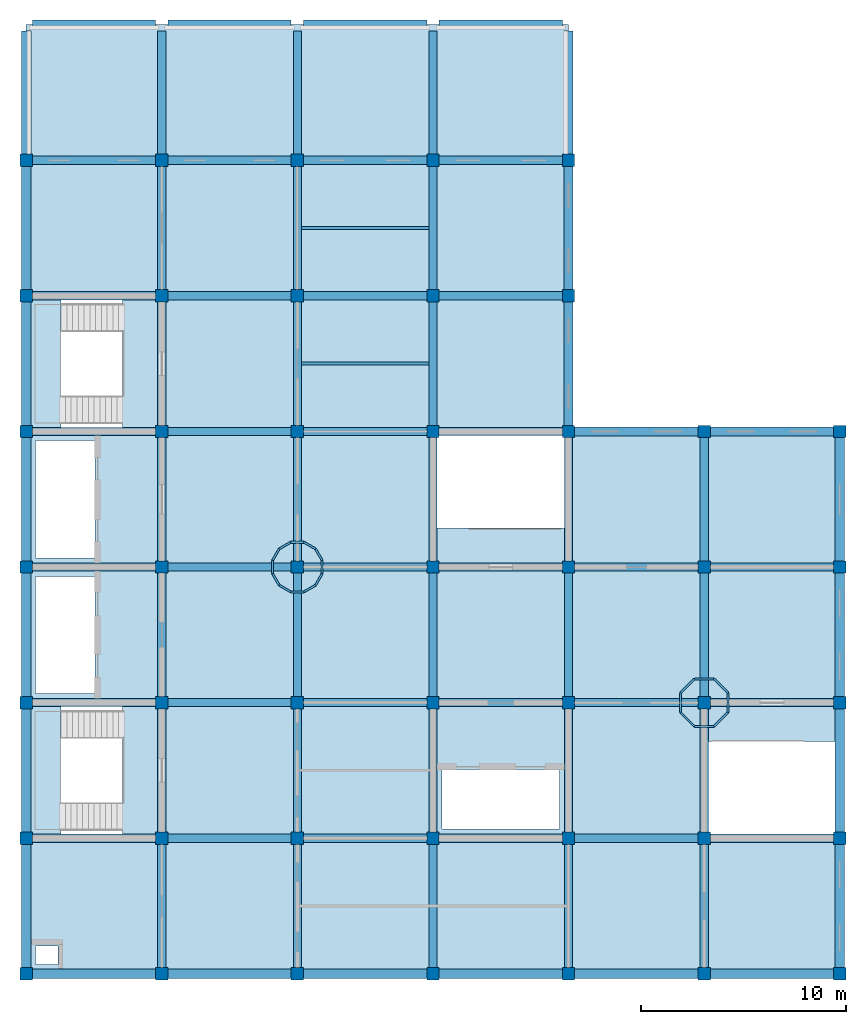
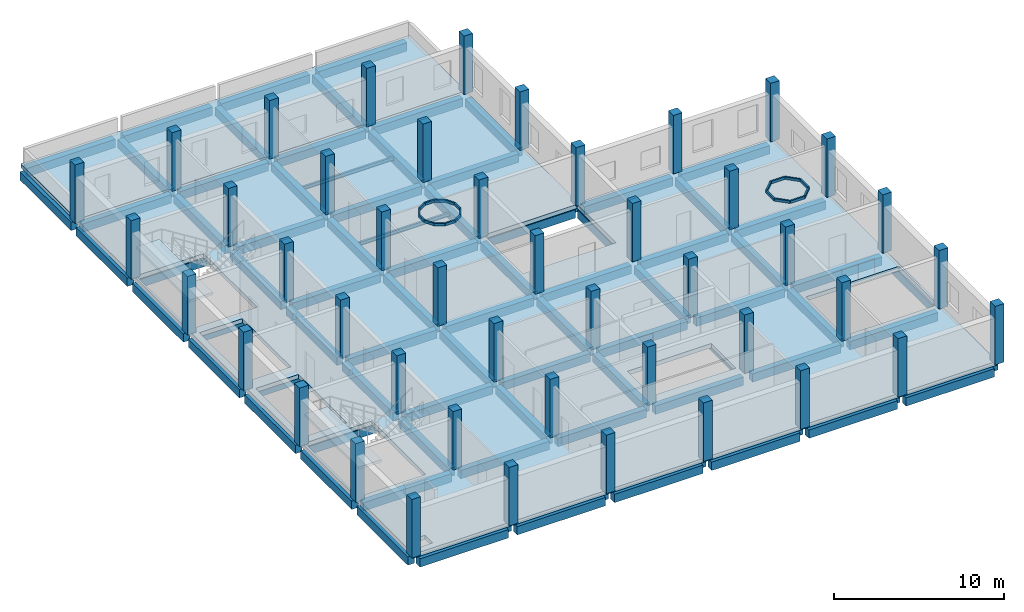
# One storey, part 1 of 6: 87 beams, 45 columns, 20 members, 4 slabs, 2 elements without a shape of their own.
"""IFC4 building model written with IfcOpenShell, lengths in metres."""

from ifc_helpers import new_model, si_unit, direction, frame, origin, origin_2d, place, context, subcontext, project, spatial, polyline, rectangle, hollow_rectangle, i_section, outline, extrude, material, layer, layer_set, material_profile, profile_set, type_object, element, aggregate, save


model = new_model("IFC4")

# Units and contexts
model_context = context("Model", 3, precision=1e-05, world=origin(), true_north=direction((0.0, 1.0)))
body_context = subcontext(model_context, "Body", "Model", "MODEL_VIEW")
ifc_project = project(units=[si_unit("LENGTHUNIT", "METRE"), si_unit("AREAUNIT", "SQUARE_METRE"), si_unit("VOLUMEUNIT", "CUBIC_METRE"), si_unit("PLANEANGLEUNIT", "RADIAN"), si_unit("MASSUNIT", "GRAM", prefix="KILO")], contexts=[model_context])

# Site, building, storey
site_placement = place(None, origin())
site = spatial("IfcSite", under=ifc_project, at=site_placement, CompositionType="ELEMENT")
building_placement = place(site_placement, origin())
building = spatial("IfcBuilding", under=site, at=building_placement, Name="Rusizi Kubbe Research Institute", CompositionType="ELEMENT")
storey_placement = place(building_placement, frame((0.0, 0.0, 69.0)))
storey = spatial("IfcBuildingStorey", under=building, at=storey_placement, Name="L16", CompositionType="ELEMENT", Elevation=69.0)

# Columns
ifc_material_1 = material(Name="Concrete C40/50", Category="concrete")
ifc_material_profile_1 = material_profile(ifc_material_1, rectangle(XDim=0.60009765625, YDim=0.60009765625, at=origin_2d()), Name="RC600x600")
ifc_profile_set_1 = profile_set([ifc_material_profile_1], Name="Concrete C40/50")
column_type = type_object("IfcColumnType", Name="COL-600", PredefinedType="COLUMN", material=ifc_profile_set_1)
for number, where, z_axis, x_axis, name in (
    (1, (0.0, 0.0, 0.0), (0.0, 0.0, 1.0), (1.0, 0.0, 0.0), "Column 1A L16"),
    (2, (0.0, 6.60009765625, 0.0), (0.0, 0.0, 1.0), (1.0, 0.0, 0.0), "Column 1B L16"),
    (3, (0.0, 13.199951171875, 0.0), (0.0, 0.0, 1.0), (1.0, 0.0, 0.0), "Column 1C L16"),
    (4, (0.0, 19.800048828125, 0.0), (0.0, 0.0, 1.0), (1.0, 0.0, 0.0), "Column 1D L16"),
    (5, (0.0, 26.39990234375, 0.0), (0.0, 0.0, 1.0), (1.0, 0.0, 0.0), "Column 1E L16"),
    (6, (0.0, 33.0, 0.0), (0.0, 0.0, 1.0), (1.0, 0.0, 0.0), "Column 1F L16"),
    (7, (0.0, 39.60009765625, 0.0), (0.0, 0.0, 1.0), (1.0, 0.0, 0.0), "Column 1G L16"),
    (8, (6.60009765625, 0.0, 0.0), (0.0, 0.0, 1.0), (1.0, 0.0, 0.0), "Column 2A L16"),
    (9, (6.60009765625, 6.60009765625, 0.0), (0.0, 0.0, 1.0), (1.0, 0.0, 0.0), "Column 2B L16"),
    (10, (6.60009765625, 13.199951171875, 0.0), (0.0, 0.0, 1.0), (1.0, 0.0, 0.0), "Column 2C L16"),
    (11, (6.60009765625, 19.800048828125, 0.0), (0.0, 0.0, 1.0), (1.0, 0.0, 0.0), "Column 2D L16"),
    (12, (6.60009765625, 26.39990234375, 0.0), (0.0, 0.0, 1.0), (1.0, 0.0, 0.0), "Column 2E L16"),
    (13, (6.60009765625, 33.0, 0.0), (0.0, 0.0, 1.0), (1.0, 0.0, 0.0), "Column 2F L16"),
    (14, (6.60009765625, 39.60009765625, 0.0), (0.0, 0.0, 1.0), (1.0, 0.0, 0.0), "Column 2G L16"),
    (15, (13.199951171875, 0.0, 0.0), (0.0, 0.0, 1.0), (1.0, 0.0, 0.0), "Column 3A L16"),
    (16, (13.199951171875, 6.60009765625, 0.0), (0.0, 0.0, 1.0), (1.0, 0.0, 0.0), "Column 3B L16"),
    (17, (13.199951171875, 13.199951171875, 0.0), (0.0, 0.0, 1.0), (1.0, 0.0, 0.0), "Column 3C L16"),
    (18, (13.199951171875, 19.800048828125, 0.0), (0.0, 0.0, 1.0), (1.0, 0.0, 0.0), "Column 3D L16"),
    (19, (13.199951171875, 26.39990234375, 0.0), (0.0, 0.0, 1.0), (1.0, 0.0, 0.0), "Column 3E L16"),
    (20, (13.199951171875, 33.0, 0.0), (0.0, 0.0, 1.0), (1.0, 0.0, 0.0), "Column 3F L16"),
    (21, (13.199951171875, 39.60009765625, 0.0), (0.0, 0.0, 1.0), (1.0, 0.0, 0.0), "Column 3G L16"),
    (22, (19.800048828125, 0.0, 0.0), (0.0, 0.0, 1.0), (1.0, 0.0, 0.0), "Column 4A L16"),
    (23, (19.800048828125, 6.60009765625, 0.0), (0.0, 0.0, 1.0), (1.0, 0.0, 0.0), "Column 4B L16"),
    (24, (19.800048828125, 13.199951171875, 0.0), (0.0, 0.0, 1.0), (1.0, 0.0, 0.0), "Column 4C L16"),
    (25, (19.800048828125, 19.800048828125, 0.0), (0.0, 0.0, 1.0), (1.0, 0.0, 0.0), "Column 4D L16"),
    (26, (19.800048828125, 26.39990234375, 0.0), (0.0, 0.0, 1.0), (1.0, 0.0, 0.0), "Column 4E L16"),
    (27, (19.800048828125, 33.0, 0.0), (0.0, 0.0, 1.0), (1.0, 0.0, 0.0), "Column 4F L16"),
    (28, (19.800048828125, 39.60009765625, 0.0), (0.0, 0.0, 1.0), (1.0, 0.0, 0.0), "Column 4G L16"),
    (29, (26.39990234375, 0.0, 0.0), (0.0, 0.0, 1.0), (1.0, 0.0, 0.0), "Column 5A L16"),
    (30, (26.39990234375, 6.60009765625, 0.0), (0.0, 0.0, 1.0), (1.0, 0.0, 0.0), "Column 5B L16"),
    (31, (26.39990234375, 13.199951171875, 0.0), (0.0, 0.0, 1.0), (1.0, 0.0, 0.0), "Column 5C L16"),
    (32, (26.39990234375, 19.800048828125, 0.0), (0.0, 0.0, 1.0), (1.0, 0.0, 0.0), "Column 5D L16"),
    (33, (26.39990234375, 26.39990234375, 0.0), (0.0, 0.0, 1.0), (1.0, 0.0, 0.0), "Column 5E L16"),
    (34, (26.39990234375, 33.0, 0.0), (0.0, 0.0, 1.0), (1.0, 0.0, 0.0), "Column 5F L16"),
    (35, (26.39990234375, 39.60009765625, 0.0), (0.0, 0.0, 1.0), (1.0, 0.0, 0.0), "Column 5G L16"),
    (36, (33.0, 0.0, 0.0), (0.0, 0.0, 1.0), (1.0, 0.0, 0.0), "Column 6A L16"),
    (37, (33.0, 6.60009765625, 0.0), (0.0, 0.0, 1.0), (1.0, 0.0, 0.0), "Column 6B L16"),
    (38, (33.0, 13.199951171875, 0.0), (0.0, 0.0, 1.0), (1.0, 0.0, 0.0), "Column 6C L16"),
    (39, (33.0, 19.800048828125, 0.0), (0.0, 0.0, 1.0), (1.0, 0.0, 0.0), "Column 6D L16"),
    (40, (33.0, 26.39990234375, 0.0), (0.0, 0.0, 1.0), (1.0, 0.0, 0.0), "Column 6E L16"),
    (41, (39.60009765625, 0.0, 0.0), (0.0, 0.0, 1.0), (1.0, 0.0, 0.0), "Column 7A L16"),
    (42, (39.60009765625, 6.60009765625, 0.0), (0.0, 0.0, 1.0), (1.0, 0.0, 0.0), "Column 7B L16"),
    (43, (39.60009765625, 13.199951171875, 0.0), (0.0, 0.0, 1.0), (1.0, 0.0, 0.0), "Column 7C L16"),
    (44, (39.60009765625, 19.800048828125, 0.0), (0.0, 0.0, 1.0), (1.0, 0.0, 0.0), "Column 7D L16"),
    (45, (39.60009765625, 26.39990234375, 0.0), (0.0, 0.0, 1.0), (1.0, 0.0, 0.0), "Column 7E L16"),
):
    element("IfcColumn", number, at=place(storey_placement, frame(where, z_axis=z_axis, x_axis=x_axis)), inside=storey, type_object=column_type, Name=name, PredefinedType="COLUMN", context=body_context, shape_type="SweptSolid", body=[
        extrude(rectangle(XDim=0.60009765625, YDim=0.60009765625, at=origin_2d()), origin(), (0.0, 0.0, 1.0), 4.199951171875),
    ])

# Beams
ifc_material_2 = material(Name="Steel S355", Category="steel")
ifc_material_profile_2 = material_profile(ifc_material_2, i_section(OverallWidth=0.135009765625, OverallDepth=0.27001953125, WebThickness=0.006591796875, FlangeThickness=0.01025390625, at=origin_2d()), Name="IPE 270")
ifc_profile_set_2 = profile_set([ifc_material_profile_2], Name="Steel S355")
beam_type_1 = type_object("IfcBeamType", Name="BM-IPE270", PredefinedType="JOIST", material=ifc_profile_set_2)
for number, where, z_axis, x_axis, name in (
    (46, (13.39990234375, 29.699951171875, -0.43505859375), (1.0, 0.0, 0.0), (0.0, 1.0, 0.0), "Lab Stiffener Joist L16 (2,4)"),
    (47, (13.39990234375, 36.300048828125, -0.43505859375), (1.0, 0.0, 0.0), (0.0, 1.0, 0.0), "Lab Stiffener Joist L16 (2,5)"),
):
    element("IfcBeam", number, at=place(storey_placement, frame(where, z_axis=z_axis, x_axis=x_axis)), inside=storey, type_object=beam_type_1, Name=name, PredefinedType="JOIST", context=body_context, shape_type="SweptSolid", body=[
        extrude(i_section(OverallWidth=0.135009765625, OverallDepth=0.27001953125, WebThickness=0.006591796875, FlangeThickness=0.01025390625, at=origin_2d()), origin(), (0.0, 0.0, 1.0), 6.2001953125),
    ])
ifc_material_3 = material(Name="Concrete C40/50", Category="concrete")
ifc_material_profile_3 = material_profile(ifc_material_3, rectangle(XDim=0.39990234375, YDim=0.60009765625, at=origin_2d()), Name="RC400x600")
ifc_profile_set_3 = profile_set([ifc_material_profile_3], Name="Concrete C40/50")
beam_type_2 = type_object("IfcBeamType", Name="BM-RC400x600", PredefinedType="BEAM", material=ifc_profile_set_3)
for number, where, z_axis, x_axis, name in (
    (48, (0.300048828125, 6.60009765625, -0.60009765625), (1.0, 0.0, 0.0), (0.0, 1.0, 0.0), "Grid Beam H L16 (0,1)"),
    (49, (0.300048828125, 13.199951171875, -0.60009765625), (1.0, 0.0, 0.0), (0.0, 1.0, 0.0), "Grid Beam H L16 (0,2)"),
    (50, (0.300048828125, 19.800048828125, -0.60009765625), (1.0, 0.0, 0.0), (0.0, 1.0, 0.0), "Grid Beam H L16 (0,3)"),
    (51, (0.300048828125, 26.39990234375, -0.60009765625), (1.0, 0.0, 0.0), (0.0, 1.0, 0.0), "Grid Beam H L16 (0,4)"),
    (52, (0.300048828125, 33.0, -0.60009765625), (1.0, 0.0, 0.0), (0.0, 1.0, 0.0), "Grid Beam H L16 (0,5)"),
    (53, (0.300048828125, 39.60009765625, -0.60009765625), (1.0, 0.0, 0.0), (0.0, 1.0, 0.0), "Grid Beam H L16 (0,6)"),
    (54, (6.89990234375, 6.60009765625, -0.60009765625), (1.0, 0.0, 0.0), (0.0, 1.0, 0.0), "Grid Beam H L16 (1,1)"),
    (55, (6.89990234375, 13.199951171875, -0.60009765625), (1.0, 0.0, 0.0), (0.0, 1.0, 0.0), "Grid Beam H L16 (1,2)"),
    (56, (6.89990234375, 19.800048828125, -0.60009765625), (1.0, 0.0, 0.0), (0.0, 1.0, 0.0), "Grid Beam H L16 (1,3)"),
    (57, (6.89990234375, 26.39990234375, -0.60009765625), (1.0, 0.0, 0.0), (0.0, 1.0, 0.0), "Grid Beam H L16 (1,4)"),
    (58, (6.89990234375, 33.0, -0.60009765625), (1.0, 0.0, 0.0), (0.0, 1.0, 0.0), "Grid Beam H L16 (1,5)"),
    (59, (6.89990234375, 39.60009765625, -0.60009765625), (1.0, 0.0, 0.0), (0.0, 1.0, 0.0), "Grid Beam H L16 (1,6)"),
    (60, (13.5, 6.60009765625, -0.60009765625), (1.0, 0.0, 0.0), (0.0, 1.0, 0.0), "Grid Beam H L16 (2,1)"),
    (61, (13.5, 13.199951171875, -0.60009765625), (1.0, 0.0, 0.0), (0.0, 1.0, 0.0), "Grid Beam H L16 (2,2)"),
    (62, (13.5, 19.800048828125, -0.60009765625), (1.0, 0.0, 0.0), (0.0, 1.0, 0.0), "Grid Beam H L16 (2,3)"),
    (63, (13.5, 26.39990234375, -0.60009765625), (1.0, 0.0, 0.0), (0.0, 1.0, 0.0), "Grid Beam H L16 (2,4)"),
    (64, (13.5, 33.0, -0.60009765625), (1.0, 0.0, 0.0), (0.0, 1.0, 0.0), "Grid Beam H L16 (2,5)"),
    (65, (13.5, 39.60009765625, -0.60009765625), (1.0, 0.0, 0.0), (0.0, 1.0, 0.0), "Grid Beam H L16 (2,6)"),
    (66, (20.10009765625, 6.60009765625, -0.60009765625), (1.0, 0.0, 0.0), (0.0, 1.0, 0.0), "Grid Beam H L16 (3,1)"),
    (67, (20.10009765625, 13.199951171875, -0.60009765625), (1.0, 0.0, 0.0), (0.0, 1.0, 0.0), "Grid Beam H L16 (3,2)"),
    (68, (20.10009765625, 19.800048828125, -0.60009765625), (1.0, 0.0, 0.0), (0.0, 1.0, 0.0), "Grid Beam H L16 (3,3)"),
    (69, (20.10009765625, 26.39990234375, -0.60009765625), (1.0, 0.0, 0.0), (0.0, 1.0, 0.0), "Grid Beam H L16 (3,4)"),
    (70, (20.10009765625, 33.0, -0.60009765625), (1.0, 0.0, 0.0), (0.0, 1.0, 0.0), "Grid Beam H L16 (3,5)"),
    (71, (20.10009765625, 39.60009765625, -0.60009765625), (1.0, 0.0, 0.0), (0.0, 1.0, 0.0), "Grid Beam H L16 (3,6)"),
    (72, (26.699951171875, 6.60009765625, -0.60009765625), (1.0, 0.0, 0.0), (0.0, 1.0, 0.0), "Grid Beam H L16 (4,1)"),
    (73, (26.699951171875, 13.199951171875, -0.60009765625), (1.0, 0.0, 0.0), (0.0, 1.0, 0.0), "Grid Beam H L16 (4,2)"),
    (74, (26.699951171875, 19.800048828125, -0.60009765625), (1.0, 0.0, 0.0), (0.0, 1.0, 0.0), "Grid Beam H L16 (4,3)"),
    (75, (33.300048828125, 6.60009765625, -0.60009765625), (1.0, 0.0, 0.0), (0.0, 1.0, 0.0), "Grid Beam H L16 (5,1)"),
    (76, (33.300048828125, 13.199951171875, -0.60009765625), (1.0, 0.0, 0.0), (0.0, 1.0, 0.0), "Grid Beam H L16 (5,2)"),
    (77, (33.300048828125, 19.800048828125, -0.60009765625), (1.0, 0.0, 0.0), (0.0, 1.0, 0.0), "Grid Beam H L16 (5,3)"),
    (78, (6.60009765625, 0.300048828125, -0.60009765625), (0.0, 1.0, 0.0), (-1.0, 0.0, 0.0), "Grid Beam V L16 (1,0)"),
    (79, (6.60009765625, 6.89990234375, -0.60009765625), (0.0, 1.0, 0.0), (-1.0, 0.0, 0.0), "Grid Beam V L16 (1,1)"),
    (80, (6.60009765625, 13.5, -0.60009765625), (0.0, 1.0, 0.0), (-1.0, 0.0, 0.0), "Grid Beam V L16 (1,2)"),
    (81, (6.60009765625, 20.10009765625, -0.60009765625), (0.0, 1.0, 0.0), (-1.0, 0.0, 0.0), "Grid Beam V L16 (1,3)"),
    (82, (6.60009765625, 26.699951171875, -0.60009765625), (0.0, 1.0, 0.0), (-1.0, 0.0, 0.0), "Grid Beam V L16 (1,4)"),
    (83, (6.60009765625, 33.300048828125, -0.60009765625), (0.0, 1.0, 0.0), (-1.0, 0.0, 0.0), "Grid Beam V L16 (1,5)"),
    (84, (6.60009765625, 39.89990234375, -0.60009765625), (0.0, 1.0, 0.0), (-1.0, 0.0, 0.0), "Grid Beam V L16 (1,6)"),
    (85, (13.199951171875, 0.300048828125, -0.60009765625), (0.0, 1.0, 0.0), (-1.0, 0.0, 0.0), "Grid Beam V L16 (2,0)"),
    (86, (13.199951171875, 6.89990234375, -0.60009765625), (0.0, 1.0, 0.0), (-1.0, 0.0, 0.0), "Grid Beam V L16 (2,1)"),
    (87, (13.199951171875, 13.5, -0.60009765625), (0.0, 1.0, 0.0), (-1.0, 0.0, 0.0), "Grid Beam V L16 (2,2)"),
    (88, (13.199951171875, 20.10009765625, -0.60009765625), (0.0, 1.0, 0.0), (-1.0, 0.0, 0.0), "Grid Beam V L16 (2,3)"),
    (89, (13.199951171875, 26.699951171875, -0.60009765625), (0.0, 1.0, 0.0), (-1.0, 0.0, 0.0), "Grid Beam V L16 (2,4)"),
    (90, (13.199951171875, 33.300048828125, -0.60009765625), (0.0, 1.0, 0.0), (-1.0, 0.0, 0.0), "Grid Beam V L16 (2,5)"),
    (91, (13.199951171875, 39.89990234375, -0.60009765625), (0.0, 1.0, 0.0), (-1.0, 0.0, 0.0), "Grid Beam V L16 (2,6)"),
    (92, (19.800048828125, 0.300048828125, -0.60009765625), (0.0, 1.0, 0.0), (-1.0, 0.0, 0.0), "Grid Beam V L16 (3,0)"),
    (93, (19.800048828125, 6.89990234375, -0.60009765625), (0.0, 1.0, 0.0), (-1.0, 0.0, 0.0), "Grid Beam V L16 (3,1)"),
    (94, (19.800048828125, 13.5, -0.60009765625), (0.0, 1.0, 0.0), (-1.0, 0.0, 0.0), "Grid Beam V L16 (3,2)"),
    (95, (19.800048828125, 20.10009765625, -0.60009765625), (0.0, 1.0, 0.0), (-1.0, 0.0, 0.0), "Grid Beam V L16 (3,3)"),
    (96, (19.800048828125, 26.699951171875, -0.60009765625), (0.0, 1.0, 0.0), (-1.0, 0.0, 0.0), "Grid Beam V L16 (3,4)"),
    (97, (19.800048828125, 33.300048828125, -0.60009765625), (0.0, 1.0, 0.0), (-1.0, 0.0, 0.0), "Grid Beam V L16 (3,5)"),
    (98, (19.800048828125, 39.89990234375, -0.60009765625), (0.0, 1.0, 0.0), (-1.0, 0.0, 0.0), "Grid Beam V L16 (3,6)"),
    (99, (26.39990234375, 0.300048828125, -0.60009765625), (0.0, 1.0, 0.0), (-1.0, 0.0, 0.0), "Grid Beam V L16 (4,0)"),
    (100, (26.39990234375, 6.89990234375, -0.60009765625), (0.0, 1.0, 0.0), (-1.0, 0.0, 0.0), "Grid Beam V L16 (4,1)"),
    (101, (26.39990234375, 13.5, -0.60009765625), (0.0, 1.0, 0.0), (-1.0, 0.0, 0.0), "Grid Beam V L16 (4,2)"),
    (102, (26.39990234375, 20.10009765625, -0.60009765625), (0.0, 1.0, 0.0), (-1.0, 0.0, 0.0), "Grid Beam V L16 (4,3)"),
    (103, (33.0, 0.300048828125, -0.60009765625), (0.0, 1.0, 0.0), (-1.0, 0.0, 0.0), "Grid Beam V L16 (5,0)"),
    (104, (33.0, 6.89990234375, -0.60009765625), (0.0, 1.0, 0.0), (-1.0, 0.0, 0.0), "Grid Beam V L16 (5,1)"),
    (105, (33.0, 13.5, -0.60009765625), (0.0, 1.0, 0.0), (-1.0, 0.0, 0.0), "Grid Beam V L16 (5,2)"),
    (106, (33.0, 20.10009765625, -0.60009765625), (0.0, 1.0, 0.0), (-1.0, 0.0, 0.0), "Grid Beam V L16 (5,3)"),
):
    element("IfcBeam", number, at=place(storey_placement, frame(where, z_axis=z_axis, x_axis=x_axis)), inside=storey, type_object=beam_type_2, Name=name, PredefinedType="BEAM", context=body_context, shape_type="SweptSolid", body=[
        extrude(rectangle(XDim=0.39990234375, YDim=0.60009765625, at=origin_2d()), origin(), (0.0, 0.0, 1.0), 6.0),
    ])
ifc_material_4 = material(Name="Concrete C40/50", Category="concrete")
ifc_material_profile_4 = material_profile(ifc_material_4, rectangle(XDim=0.449951171875, YDim=0.60009765625, at=origin_2d()), Name="RC450x600")
ifc_profile_set_4 = profile_set([ifc_material_profile_4], Name="Concrete C40/50")
beam_type_3 = type_object("IfcBeamType", Name="BM-RC450x600", PredefinedType="SPANDREL", material=ifc_profile_set_4)
for number, where, z_axis, x_axis, name in (
    (107, (0.300048828125, 0.0, -0.60009765625), (1.0, 0.0, 0.0), (0.0, 1.0, 0.0), "Grid Beam H L16 (0,0)"),
    (108, (0.300048828125, 46.199951171875, -0.60009765625), (1.0, 0.0, 0.0), (0.0, 1.0, 0.0), "Grid Beam H L16 (0,7)"),
    (109, (6.89990234375, 0.0, -0.60009765625), (1.0, 0.0, 0.0), (0.0, 1.0, 0.0), "Grid Beam H L16 (1,0)"),
    (110, (6.89990234375, 46.199951171875, -0.60009765625), (1.0, 0.0, 0.0), (0.0, 1.0, 0.0), "Grid Beam H L16 (1,7)"),
    (111, (13.5, 0.0, -0.60009765625), (1.0, 0.0, 0.0), (0.0, 1.0, 0.0), "Grid Beam H L16 (2,0)"),
    (112, (13.5, 46.199951171875, -0.60009765625), (1.0, 0.0, 0.0), (0.0, 1.0, 0.0), "Grid Beam H L16 (2,7)"),
    (113, (20.10009765625, 0.0, -0.60009765625), (1.0, 0.0, 0.0), (0.0, 1.0, 0.0), "Grid Beam H L16 (3,0)"),
    (114, (20.10009765625, 46.199951171875, -0.60009765625), (1.0, 0.0, 0.0), (0.0, 1.0, 0.0), "Grid Beam H L16 (3,7)"),
    (115, (26.699951171875, 0.0, -0.60009765625), (1.0, 0.0, 0.0), (0.0, 1.0, 0.0), "Grid Beam H L16 (4,0)"),
    (116, (26.699951171875, 26.39990234375, -0.60009765625), (1.0, 0.0, 0.0), (0.0, 1.0, 0.0), "Grid Beam H L16 (4,4)"),
    (117, (33.300048828125, 0.0, -0.60009765625), (1.0, 0.0, 0.0), (0.0, 1.0, 0.0), "Grid Beam H L16 (5,0)"),
    (118, (33.300048828125, 26.39990234375, -0.60009765625), (1.0, 0.0, 0.0), (0.0, 1.0, 0.0), "Grid Beam H L16 (5,4)"),
    (119, (0.0, 0.300048828125, -0.60009765625), (0.0, 1.0, 0.0), (-1.0, 0.0, 0.0), "Grid Beam V L16 (0,0)"),
    (120, (0.0, 6.89990234375, -0.60009765625), (0.0, 1.0, 0.0), (-1.0, 0.0, 0.0), "Grid Beam V L16 (0,1)"),
    (121, (0.0, 13.5, -0.60009765625), (0.0, 1.0, 0.0), (-1.0, 0.0, 0.0), "Grid Beam V L16 (0,2)"),
    (122, (0.0, 20.10009765625, -0.60009765625), (0.0, 1.0, 0.0), (-1.0, 0.0, 0.0), "Grid Beam V L16 (0,3)"),
    (123, (0.0, 26.699951171875, -0.60009765625), (0.0, 1.0, 0.0), (-1.0, 0.0, 0.0), "Grid Beam V L16 (0,4)"),
    (124, (0.0, 33.300048828125, -0.60009765625), (0.0, 1.0, 0.0), (-1.0, 0.0, 0.0), "Grid Beam V L16 (0,5)"),
    (125, (0.0, 39.89990234375, -0.60009765625), (0.0, 1.0, 0.0), (-1.0, 0.0, 0.0), "Grid Beam V L16 (0,6)"),
    (126, (26.39990234375, 26.699951171875, -0.60009765625), (0.0, 1.0, 0.0), (-1.0, 0.0, 0.0), "Grid Beam V L16 (4,4)"),
    (127, (26.39990234375, 33.300048828125, -0.60009765625), (0.0, 1.0, 0.0), (-1.0, 0.0, 0.0), "Grid Beam V L16 (4,5)"),
    (128, (26.39990234375, 39.89990234375, -0.60009765625), (0.0, 1.0, 0.0), (-1.0, 0.0, 0.0), "Grid Beam V L16 (4,6)"),
    (129, (39.60009765625, 0.300048828125, -0.60009765625), (0.0, 1.0, 0.0), (-1.0, 0.0, 0.0), "Grid Beam V L16 (6,0)"),
    (130, (39.60009765625, 6.89990234375, -0.60009765625), (0.0, 1.0, 0.0), (-1.0, 0.0, 0.0), "Grid Beam V L16 (6,1)"),
    (131, (39.60009765625, 13.5, -0.60009765625), (0.0, 1.0, 0.0), (-1.0, 0.0, 0.0), "Grid Beam V L16 (6,2)"),
    (132, (39.60009765625, 20.10009765625, -0.60009765625), (0.0, 1.0, 0.0), (-1.0, 0.0, 0.0), "Grid Beam V L16 (6,3)"),
):
    element("IfcBeam", number, at=place(storey_placement, frame(where, z_axis=z_axis, x_axis=x_axis)), inside=storey, type_object=beam_type_3, Name=name, PredefinedType="SPANDREL", context=body_context, shape_type="SweptSolid", body=[
        extrude(rectangle(XDim=0.449951171875, YDim=0.60009765625, at=origin_2d()), origin(), (0.0, 0.0, 1.0), 6.0),
    ])

# Members
ifc_material_5 = material(Name="Steel S355", Category="steel")
ifc_material_profile_5 = material_profile(ifc_material_5, hollow_rectangle(XDim=0.10009765625, YDim=0.179931640625, WallThickness=0.008056640625, at=origin_2d()), Name="RHS 180x100x8.0")
ifc_profile_set_5 = profile_set([ifc_material_profile_5], Name="Steel S355")
member_type = type_object("IfcMemberType", Name="MB-RHS180", PredefinedType="PURLIN", material=ifc_profile_set_5)
member_1_placement = place(storey_placement, frame((14.407470703125, 20.12353515625, 7.89990234375), z_axis=(-0.499994660107, 0.866028486751, 0.0), x_axis=(-0.866028486751, -0.499994660107, 0.0)))
element("IfcMember", 133, at=member_1_placement, inside=storey, type_object=member_type, Name="Kubbe Dome Hoop Purlin Top DOME-CRN1-1", PredefinedType="PURLIN", context=body_context, shape_type="SweptSolid", body=[
    extrude(hollow_rectangle(XDim=0.10009765625, YDim=0.179931640625, WallThickness=0.008056640625, at=origin_2d()), origin(), (0.0, 0.0, 1.0), 0.64697265625),
])
member_2_placement = place(storey_placement, frame((14.083984375, 20.683837890625, 7.89990234375), z_axis=(-0.866122777126, 0.499831306486, 0.0), x_axis=(-0.499831306486, -0.866122777126, 0.0)))
element("IfcMember", 134, at=member_2_placement, inside=storey, type_object=member_type, Name="Kubbe Dome Hoop Purlin Top DOME-CRN1-2", PredefinedType="PURLIN", context=body_context, shape_type="SweptSolid", body=[
    extrude(hollow_rectangle(XDim=0.10009765625, YDim=0.179931640625, WallThickness=0.008056640625, at=origin_2d()), origin(), (0.0, 0.0, 1.0), 0.647216796875),
])
for number, where, z_axis, x_axis, name in (
    (135, (13.5234375, 21.00732421875, 7.89990234375), (-1.0, 0.0, 0.0), (0.0, -1.0, 0.0), "Kubbe Dome Hoop Purlin Top DOME-CRN1-3"),
    (136, (12.87646484375, 21.00732421875, 7.89990234375), (-0.866028486751, -0.499994660107, 0.0), (0.499994660107, -0.866028486751, 0.0), "Kubbe Dome Hoop Purlin Top DOME-CRN1-4"),
    (137, (12.316162109375, 20.683837890625, 7.89990234375), (-0.499994660107, -0.866028486751, 0.0), (0.866028486751, -0.499994660107, 0.0), "Kubbe Dome Hoop Purlin Top DOME-CRN1-5"),
    (138, (11.99267578125, 20.12353515625, 7.89990234375), (0.0, -1.0, 0.0), (1.0, 0.0, 0.0), "Kubbe Dome Hoop Purlin Top DOME-CRN1-6"),
):
    element("IfcMember", number, at=place(storey_placement, frame(where, z_axis=z_axis, x_axis=x_axis)), inside=storey, type_object=member_type, Name=name, PredefinedType="PURLIN", context=body_context, shape_type="SweptSolid", body=[
        extrude(hollow_rectangle(XDim=0.10009765625, YDim=0.179931640625, WallThickness=0.008056640625, at=origin_2d()), origin(), (0.0, 0.0, 1.0), 0.64697265625),
    ])
member_3_placement = place(storey_placement, frame((11.99267578125, 19.4765625, 7.89990234375), z_axis=(0.499831306486, -0.866122777126, 0.0), x_axis=(0.866122777126, 0.499831306486, 0.0)))
element("IfcMember", 139, at=member_3_placement, inside=storey, type_object=member_type, Name="Kubbe Dome Hoop Purlin Top DOME-CRN1-7", PredefinedType="PURLIN", context=body_context, shape_type="SweptSolid", body=[
    extrude(hollow_rectangle(XDim=0.10009765625, YDim=0.179931640625, WallThickness=0.008056640625, at=origin_2d()), origin(), (0.0, 0.0, 1.0), 0.647216796875),
])
for number, where, z_axis, x_axis, name in (
    (140, (12.316162109375, 18.916015625, 7.89990234375), (0.866028486751, -0.499994660107, 0.0), (0.499994660107, 0.866028486751, 0.0), "Kubbe Dome Hoop Purlin Top DOME-CRN1-8"),
    (141, (12.87646484375, 18.592529296875, 7.89990234375), (1.0, 0.0, 0.0), (0.0, 1.0, 0.0), "Kubbe Dome Hoop Purlin Top DOME-CRN1-9"),
):
    element("IfcMember", number, at=place(storey_placement, frame(where, z_axis=z_axis, x_axis=x_axis)), inside=storey, type_object=member_type, Name=name, PredefinedType="PURLIN", context=body_context, shape_type="SweptSolid", body=[
        extrude(hollow_rectangle(XDim=0.10009765625, YDim=0.179931640625, WallThickness=0.008056640625, at=origin_2d()), origin(), (0.0, 0.0, 1.0), 0.64697265625),
    ])
for number, where, z_axis, x_axis, name in (
    (142, (13.5234375, 18.592529296875, 7.89990234375), (0.866122777126, 0.499831306486, 0.0), (-0.499831306486, 0.866122777126, 0.0), "Kubbe Dome Hoop Purlin Top DOME-CRN1-10"),
    (143, (14.083984375, 18.916015625, 7.89990234375), (0.499831306486, 0.866122777126, 0.0), (-0.866122777126, 0.499831306486, 0.0), "Kubbe Dome Hoop Purlin Top DOME-CRN1-11"),
):
    element("IfcMember", number, at=place(storey_placement, frame(where, z_axis=z_axis, x_axis=x_axis)), inside=storey, type_object=member_type, Name=name, PredefinedType="PURLIN", context=body_context, shape_type="SweptSolid", body=[
        extrude(hollow_rectangle(XDim=0.10009765625, YDim=0.179931640625, WallThickness=0.008056640625, at=origin_2d()), origin(), (0.0, 0.0, 1.0), 0.647216796875),
    ])
member_4_placement = place(storey_placement, frame((14.407470703125, 19.4765625, 7.89990234375), z_axis=(0.0, 1.0, 0.0), x_axis=(-1.0, 0.0, 0.0)))
element("IfcMember", 144, at=member_4_placement, inside=storey, type_object=member_type, Name="Kubbe Dome Hoop Purlin Top DOME-CRN1-12", PredefinedType="PURLIN", context=body_context, shape_type="SweptSolid", body=[
    extrude(hollow_rectangle(XDim=0.10009765625, YDim=0.179931640625, WallThickness=0.008056640625, at=origin_2d()), origin(), (0.0, 0.0, 1.0), 0.64697265625),
])
for number, where, z_axis, x_axis, name in (
    (145, (34.15478515625, 13.678466796875, 6.60009765625), (-0.707234383237, 0.706979156105, 0.0), (-0.706979156105, -0.707234383237, 0.0), "Kubbe Dome Hoop Purlin Top DOME-CRN2-1"),
    (146, (33.478271484375, 14.354736328125, 6.60009765625), (-1.0, 0.0, 0.0), (0.0, -1.0, 0.0), "Kubbe Dome Hoop Purlin Top DOME-CRN2-2"),
    (147, (32.521728515625, 14.354736328125, 6.60009765625), (-0.707234383237, -0.706979156105, 0.0), (0.706979156105, -0.707234383237, 0.0), "Kubbe Dome Hoop Purlin Top DOME-CRN2-3"),
):
    element("IfcMember", number, at=place(storey_placement, frame(where, z_axis=z_axis, x_axis=x_axis)), inside=storey, type_object=member_type, Name=name, PredefinedType="PURLIN", context=body_context, shape_type="SweptSolid", body=[
        extrude(hollow_rectangle(XDim=0.10009765625, YDim=0.179931640625, WallThickness=0.008056640625, at=origin_2d()), origin(), (0.0, 0.0, 1.0), 0.95654296875),
    ])
for number, where, z_axis, x_axis, name in (
    (148, (31.84521484375, 13.678466796875, 6.60009765625), (0.0, -1.0, 0.0), (1.0, 0.0, 0.0), "Kubbe Dome Hoop Purlin Top DOME-CRN2-4"),
    (149, (31.84521484375, 12.7216796875, 6.60009765625), (0.707106781187, -0.707106781187, 0.0), (0.707106781187, 0.707106781187, 0.0), "Kubbe Dome Hoop Purlin Top DOME-CRN2-5"),
):
    element("IfcMember", number, at=place(storey_placement, frame(where, z_axis=z_axis, x_axis=x_axis)), inside=storey, type_object=member_type, Name=name, PredefinedType="PURLIN", context=body_context, shape_type="SweptSolid", body=[
        extrude(hollow_rectangle(XDim=0.10009765625, YDim=0.179931640625, WallThickness=0.008056640625, at=origin_2d()), origin(), (0.0, 0.0, 1.0), 0.956787109375),
    ])
member_5_placement = place(storey_placement, frame((32.521728515625, 12.045166015625, 6.60009765625), z_axis=(1.0, 0.0, 0.0), x_axis=(0.0, 1.0, 0.0)))
element("IfcMember", 150, at=member_5_placement, inside=storey, type_object=member_type, Name="Kubbe Dome Hoop Purlin Top DOME-CRN2-6", PredefinedType="PURLIN", context=body_context, shape_type="SweptSolid", body=[
    extrude(hollow_rectangle(XDim=0.10009765625, YDim=0.179931640625, WallThickness=0.008056640625, at=origin_2d()), origin(), (0.0, 0.0, 1.0), 0.95654296875),
])
for number, where, z_axis, x_axis, name in (
    (151, (33.478271484375, 12.045166015625, 6.60009765625), (0.707106781187, 0.707106781187, 0.0), (-0.707106781187, 0.707106781187, 0.0), "Kubbe Dome Hoop Purlin Top DOME-CRN2-7"),
    (152, (34.15478515625, 12.7216796875, 6.60009765625), (0.0, 1.0, 0.0), (-1.0, 0.0, 0.0), "Kubbe Dome Hoop Purlin Top DOME-CRN2-8"),
):
    element("IfcMember", number, at=place(storey_placement, frame(where, z_axis=z_axis, x_axis=x_axis)), inside=storey, type_object=member_type, Name=name, PredefinedType="PURLIN", context=body_context, shape_type="SweptSolid", body=[
        extrude(hollow_rectangle(XDim=0.10009765625, YDim=0.179931640625, WallThickness=0.008056640625, at=origin_2d()), origin(), (0.0, 0.0, 1.0), 0.956787109375),
    ])

# Slab
ifc_material_6 = material(Name="Concrete C40/50", Category="concrete")
ifc_layer_1 = layer(ifc_material_6, 0.300048828125)
ifc_layer_set_1 = layer_set([ifc_layer_1], Name="Concrete C40/50")
slab_type_1 = type_object("IfcSlabType", Name="SL-F300", PredefinedType="FLOOR", material=ifc_layer_set_1)
slab_1_placement = place(storey_placement, frame((0.0, 0.0, -0.300048828125)))
element("IfcSlab", 153, at=slab_1_placement, inside=storey, type_object=slab_type_1, Name="Structural Slab L16 CORE", PredefinedType="FLOOR", context=body_context, shape_type="SweptSolid", body=[
    extrude(outline(polyline([(0.0, 33.0), (0.0, 39.60009765625), (6.60009765625, 39.60009765625), (13.199951171875, 39.60009765625), (19.800048828125, 39.60009765625), (26.39990234375, 39.60009765625), (26.39990234375, 33.0), (26.39990234375, 26.39990234375), (33.0, 26.39990234375), (39.60009765625, 26.39990234375), (39.60009765625, 19.800048828125), (39.60009765625, 13.199951171875), (39.60009765625, 6.60009765625), (39.60009765625, 0.0), (33.0, 0.0), (26.39990234375, 0.0), (19.800048828125, 0.0), (13.199951171875, 0.0), (6.60009765625, 0.0), (0.0, 0.0), (0.0, 6.60009765625), (0.0, 13.199951171875), (0.0, 19.800048828125), (0.0, 26.39990234375), (0.0, 33.0)]), holes=[polyline([(0.449951171875, 1.35009765625), (0.449951171875, 0.449951171875), (1.550048828125, 0.449951171875), (1.550048828125, 1.35009765625), (0.449951171875, 1.35009765625)]), polyline([(20.25, 9.949951171875), (20.25, 7.050048828125), (25.949951171875, 7.050048828125), (25.949951171875, 9.949951171875), (20.25, 9.949951171875)]), polyline([(33.139892578125, 11.300048828125), (33.139892578125, 6.739990234375), (39.4599609375, 6.739990234375), (39.4599609375, 11.300048828125), (33.139892578125, 11.300048828125)]), polyline([(0.139892578125, 13.06005859375), (0.139892578125, 6.739990234375), (4.699951171875, 6.739990234375), (4.699951171875, 13.06005859375), (0.139892578125, 13.06005859375)]), polyline([(0.449951171875, 19.35009765625), (0.449951171875, 13.64990234375), (3.35009765625, 13.64990234375), (3.35009765625, 19.35009765625), (0.449951171875, 19.35009765625)]), polyline([(0.449951171875, 25.949951171875), (0.449951171875, 20.25), (3.35009765625, 20.25), (3.35009765625, 25.949951171875), (0.449951171875, 25.949951171875)]), polyline([(19.93994140625, 26.260009765625), (19.93994140625, 21.699951171875), (26.260009765625, 21.699951171875), (26.260009765625, 26.260009765625), (19.93994140625, 26.260009765625)]), polyline([(0.139892578125, 32.860107421875), (0.139892578125, 26.5400390625), (4.699951171875, 26.5400390625), (4.699951171875, 32.860107421875), (0.139892578125, 32.860107421875)])]), origin(), (0.0, 0.0, 1.0), 0.300048828125),
])

# Stair, slab
ifc_material_7 = material(Name="Concrete C40/50", Category="concrete")
stair_type = type_object("IfcStairType", Name="ST-H420A", PredefinedType="HALF_TURN_STAIR", material=ifc_material_7)
stair_1_placement = place(storey_placement, origin())
stair_1 = element("IfcStair", 154, at=stair_1_placement, inside=storey, type_object=stair_type, Name="Protected Exit Stair ST1 (L16)", PredefinedType="HALF_TURN_STAIR")
ifc_material_8 = material(Name="Concrete C40/50", Category="concrete")
ifc_layer_2 = layer(ifc_material_8, 0.179931640625)
ifc_layer_set_2 = layer_set([ifc_layer_2], Name="Concrete C40/50")
slab_type_2 = type_object("IfcSlabType", Name="SL-L180", PredefinedType="LANDING", material=ifc_layer_set_2)
slab_2_placement = place(storey_placement, frame((0.0, 0.0, 1.919921875)))
slab_2 = element("IfcSlab", 155, at=slab_2_placement, type_object=slab_type_2, Name="ST1 landing 1", PredefinedType="LANDING", context=body_context, shape_type="SweptSolid", body=[
    extrude(outline(polyline([(1.7060546875, 13.06005859375), (0.139892578125, 13.06005859375), (0.139892578125, 6.739990234375), (1.7060546875, 6.739990234375), (1.7060546875, 13.06005859375)])), origin(), (0.0, 0.0, 1.0), 0.18017578125),
])
aggregate(stair_1, [slab_2])

stair_2_placement = place(storey_placement, origin())
stair_2 = element("IfcStair", 156, at=stair_2_placement, inside=storey, type_object=stair_type, Name="Protected Exit Stair ST2 (L16)", PredefinedType="HALF_TURN_STAIR")
slab_3_placement = place(storey_placement, frame((0.0, 0.0, 1.919921875)))
slab_3 = element("IfcSlab", 157, at=slab_3_placement, type_object=slab_type_2, Name="ST2 landing 1", PredefinedType="LANDING", context=body_context, shape_type="SweptSolid", body=[
    extrude(outline(polyline([(1.7060546875, 32.860107421875), (0.139892578125, 32.860107421875), (0.139892578125, 26.5400390625), (1.7060546875, 26.5400390625), (1.7060546875, 32.860107421875)])), origin(), (0.0, 0.0, 1.0), 0.18017578125),
])
aggregate(stair_2, [slab_3])

# Slab
ifc_material_9 = material(Name="Concrete C40/50", Category="concrete")
ifc_layer_3 = layer(ifc_material_9, 0.260009765625)
ifc_layer_set_3 = layer_set([ifc_layer_3], Name="Concrete C40/50")
slab_type_3 = type_object("IfcSlabType", Name="SL-R260", PredefinedType="ROOF", material=ifc_layer_set_3)
slab_4_placement = place(storey_placement, frame((0.0, 0.0, -0.260009765625)))
element("IfcSlab", 158, at=slab_4_placement, inside=storey, type_object=slab_type_3, Name="Stepback Maintenance Roof Slab L16-1", PredefinedType="ROOF", context=body_context, shape_type="SweptSolid", body=[
    extrude(outline(polyline([(6.60009765625, 46.199951171875), (13.199951171875, 46.199951171875), (19.800048828125, 46.199951171875), (26.39990234375, 46.199951171875), (26.39990234375, 39.60498046875), (0.0, 39.60498046875), (0.0, 46.199951171875), (6.60009765625, 46.199951171875)])), origin(), (0.0, 0.0, 1.0), 0.260009765625),
])

save(model, "model.ifc")
